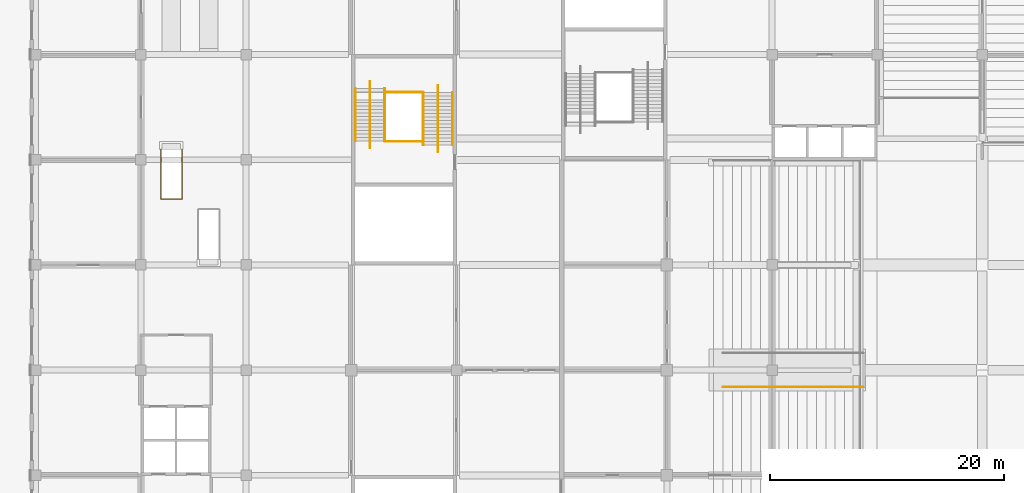
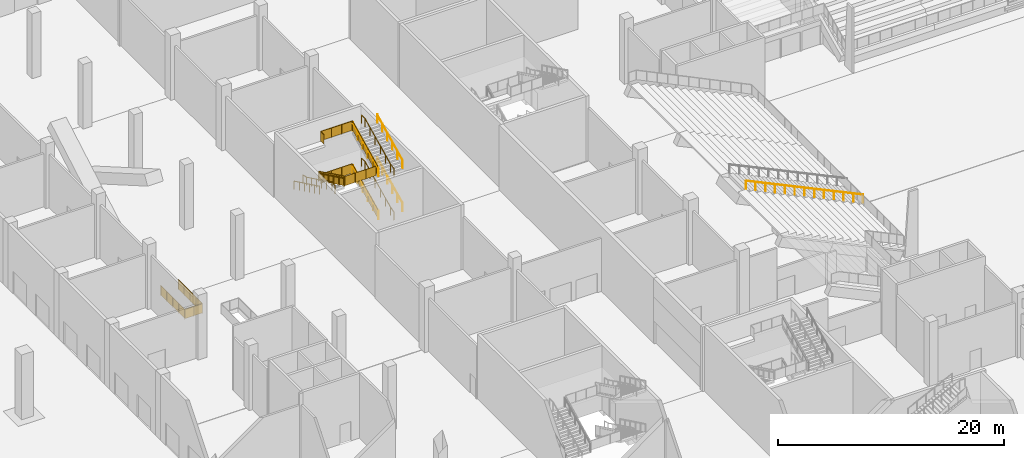
# One storey, part 65 of 92: 17 railings.
"""IFC4 building model written with IfcOpenShell, lengths in metres."""

from ifc_helpers import new_model, si_unit, direction, frame, origin, origin_2d, place, context, subcontext, project, spatial, polyline, circle, outline, extrude, material, type_object, element, save


model = new_model("IFC4")

# Units and contexts
model_context = context("Model", 3, precision=1e-05, world=origin(), true_north=direction((0.0, 1.0)))
body_context = subcontext(model_context, "Body", "Model", "MODEL_VIEW")
ifc_project = project(units=[si_unit("LENGTHUNIT", "METRE"), si_unit("AREAUNIT", "SQUARE_METRE"), si_unit("VOLUMEUNIT", "CUBIC_METRE"), si_unit("PLANEANGLEUNIT", "RADIAN"), si_unit("MASSUNIT", "GRAM", prefix="KILO")], contexts=[model_context])

# Site, building, storey
site_placement = place(None, origin())
site = spatial("IfcSite", under=ifc_project, at=site_placement, CompositionType="ELEMENT")
building_placement = place(site_placement, origin())
building = spatial("IfcBuilding", under=site, at=building_placement, Name="Silverbay Arena", CompositionType="ELEMENT")
storey_placement = place(building_placement, origin())
storey = spatial("IfcBuildingStorey", under=building, at=storey_placement, Name="L00", CompositionType="ELEMENT", Elevation=0.0)

# Railings
ifc_material_1 = material(Name="Stainless steel", Category="steel")
railing_type_1 = type_object("IfcRailingType", Name="Opening guard 1100", PredefinedType="GUARDRAIL", material=ifc_material_1)
railing_1_placement = place(storey_placement, frame((37.699951171875, 99.892333984375, 0.0)))
element("IfcRailing", 1, at=railing_1_placement, inside=storey, type_object=railing_type_1, Name="Escalator opening guard LF28", PredefinedType="GUARDRAIL", context=body_context, shape_type="SweptSolid", body=[
    extrude(circle(Radius=0.02392578125, at=origin_2d()), frame((0.0, 0.0, 1.076171875), z_axis=(0.0, -1.0, 0.0), x_axis=(1.0, 0.0, 0.0)), (0.0, 0.0, 1.0), 4.26318359375),
    extrude(outline(polyline([(-0.008056640625, 0.050048828125), (1.07373046875, 0.050048828125), (1.07373046875, 1.052978515625), (-0.008056640625, 1.052978515625), (-0.008056640625, 0.050048828125)])), frame((0.0029296875, 0.0, 0.0), z_axis=(-1.0, 0.0, 0.0), x_axis=(0.0, -1.0, 0.0)), (0.0, 0.0, 1.0), 0.006103515625),
    extrude(outline(polyline([(-0.008056640625, 0.050048828125), (1.07373046875, 0.050048828125), (1.07373046875, 1.052978515625), (-0.008056640625, 1.052978515625), (-0.008056640625, 0.050048828125)])), frame((0.0029296875, -1.06591796875, 0.0), z_axis=(-1.0, 0.0, 0.0), x_axis=(0.0, -1.0, 0.0)), (0.0, 0.0, 1.0), 0.006103515625),
    extrude(outline(polyline([(-0.008056640625, 0.050048828125), (1.07373046875, 0.050048828125), (1.07373046875, 1.052978515625), (-0.008056640625, 1.052978515625), (-0.008056640625, 0.050048828125)])), frame((0.0029296875, -2.131591796875, 0.0), z_axis=(-1.0, 0.0, 0.0), x_axis=(0.0, -1.0, 0.0)), (0.0, 0.0, 1.0), 0.006103515625),
    extrude(outline(polyline([(-0.008056640625, 0.050048828125), (1.07373046875, 0.050048828125), (1.07373046875, 1.052978515625), (-0.008056640625, 1.052978515625), (-0.008056640625, 0.050048828125)])), frame((0.0029296875, -3.197265625, 0.0), z_axis=(-1.0, 0.0, 0.0), x_axis=(0.0, -1.0, 0.0)), (0.0, 0.0, 1.0), 0.006103515625),
    extrude(circle(Radius=0.02392578125, at=origin_2d()), frame((0.0, -4.26318359375, 1.076171875), z_axis=(1.0, 0.0, 0.0), x_axis=(0.0, 1.0, 0.0)), (0.0, 0.0, 1.0), 1.800048828125),
    extrude(outline(polyline([(-0.008056640625, 0.050048828125), (0.907958984375, 0.050048828125), (0.907958984375, 1.052978515625), (-0.008056640625, 1.052978515625), (-0.008056640625, 0.050048828125)])), frame((0.0, -4.26025390625, 0.0), z_axis=(0.0, -1.0, 0.0), x_axis=(1.0, 0.0, 0.0)), (0.0, 0.0, 1.0), 0.006103515625),
    extrude(outline(polyline([(-0.008056640625, 0.050048828125), (0.907958984375, 0.050048828125), (0.907958984375, 1.052978515625), (-0.008056640625, 1.052978515625), (-0.008056640625, 0.050048828125)])), frame((0.89990234375, -4.26025390625, 0.0), z_axis=(0.0, -1.0, 0.0), x_axis=(1.0, 0.0, 0.0)), (0.0, 0.0, 1.0), 0.006103515625),
    extrude(circle(Radius=0.02392578125, at=origin_2d()), frame((1.800048828125, -4.26318359375, 1.076171875), z_axis=(0.0, 1.0, 0.0), x_axis=(-1.0, 0.0, 0.0)), (0.0, 0.0, 1.0), 4.26318359375),
    extrude(outline(polyline([(-0.008056640625, 0.050048828125), (1.07373046875, 0.050048828125), (1.07373046875, 1.052978515625), (-0.008056640625, 1.052978515625), (-0.008056640625, 0.050048828125)])), frame((1.797119140625, -4.26318359375, 0.0), z_axis=(1.0, 0.0, 0.0), x_axis=(0.0, 1.0, 0.0)), (0.0, 0.0, 1.0), 0.006103515625),
    extrude(outline(polyline([(-0.008056640625, 0.050048828125), (1.07373046875, 0.050048828125), (1.07373046875, 1.052978515625), (-0.008056640625, 1.052978515625), (-0.008056640625, 0.050048828125)])), frame((1.797119140625, -3.197265625, 0.0), z_axis=(1.0, 0.0, 0.0), x_axis=(0.0, 1.0, 0.0)), (0.0, 0.0, 1.0), 0.006103515625),
    extrude(outline(polyline([(-0.008056640625, 0.050048828125), (1.07373046875, 0.050048828125), (1.07373046875, 1.052978515625), (-0.008056640625, 1.052978515625), (-0.008056640625, 0.050048828125)])), frame((1.797119140625, -2.131591796875, 0.0), z_axis=(1.0, 0.0, 0.0), x_axis=(0.0, 1.0, 0.0)), (0.0, 0.0, 1.0), 0.006103515625),
    extrude(outline(polyline([(-0.008056640625, 0.050048828125), (1.07373046875, 0.050048828125), (1.07373046875, 1.052978515625), (-0.008056640625, 1.052978515625), (-0.008056640625, 0.050048828125)])), frame((1.797119140625, -1.06591796875, 0.0), z_axis=(1.0, 0.0, 0.0), x_axis=(0.0, 1.0, 0.0)), (0.0, 0.0, 1.0), 0.006103515625),
    extrude(circle(Radius=0.02099609375, at=origin_2d()), origin(), (0.0, 0.0, 1.0), 1.052001953125),
    extrude(circle(Radius=0.02099609375, at=origin_2d()), frame((0.0, -1.06591796875, 0.0)), (0.0, 0.0, 1.0), 1.052001953125),
    extrude(circle(Radius=0.02099609375, at=origin_2d()), frame((0.0, -2.131591796875, 0.0)), (0.0, 0.0, 1.0), 1.052001953125),
    extrude(circle(Radius=0.02099609375, at=origin_2d()), frame((0.0, -3.197265625, 0.0)), (0.0, 0.0, 1.0), 1.052001953125),
    extrude(circle(Radius=0.02099609375, at=origin_2d()), frame((0.0, -4.26318359375, 0.0)), (0.0, 0.0, 1.0), 1.052001953125),
    extrude(circle(Radius=0.02099609375, at=origin_2d()), frame((0.89990234375, -4.26318359375, 0.0)), (0.0, 0.0, 1.0), 1.052001953125),
    extrude(circle(Radius=0.02099609375, at=origin_2d()), frame((1.800048828125, -4.26318359375, 0.0)), (0.0, 0.0, 1.0), 1.052001953125),
    extrude(circle(Radius=0.02099609375, at=origin_2d()), frame((1.800048828125, -3.197265625, 0.0)), (0.0, 0.0, 1.0), 1.052001953125),
    extrude(circle(Radius=0.02099609375, at=origin_2d()), frame((1.800048828125, -2.131591796875, 0.0)), (0.0, 0.0, 1.0), 1.052001953125),
    extrude(circle(Radius=0.02099609375, at=origin_2d()), frame((1.800048828125, -1.06591796875, 0.0)), (0.0, 0.0, 1.0), 1.052001953125),
    extrude(circle(Radius=0.02099609375, at=origin_2d()), frame((1.800048828125, 0.0, 0.0)), (0.0, 0.0, 1.0), 1.052001953125),
])
ifc_material_2 = material(Name="Stainless steel", Category="steel")
railing_type_2 = type_object("IfcRailingType", Name="Stair guard 1100", PredefinedType="GUARDRAIL", material=ifc_material_2)
railing_2_placement = place(storey_placement, frame((60.125, 100.2568359375, 0.145751953125)))
element("IfcRailing", 2, at=railing_2_placement, inside=storey, type_object=railing_type_2, Name="Stair ST-W2 L00 to L01 flight 1 guard right", PredefinedType="GUARDRAIL", context=body_context, shape_type="SweptSolid", body=[
    extrude(circle(Radius=0.02392578125, at=origin_2d()), frame((0.0, 0.0, 1.076171875), z_axis=(0.0, 0.899367854138, 0.437192706873), x_axis=(-1.0, 0.0, 0.0)), (0.0, 0.0, 1.0), 5.00341796875),
    extrude(outline(polyline([(-0.008056640625, 0.046142578125), (0.907958984375, 0.491455078125), (0.907958984375, 1.494384765625), (-0.008056640625, 1.049072265625), (-0.008056640625, 0.046142578125)])), frame((-0.0029296875, 0.0, 0.0), z_axis=(1.0, 0.0, 0.0), x_axis=(0.0, 1.0, 0.0)), (0.0, 0.0, 1.0), 0.006103515625),
    extrude(outline(polyline([(-0.008056640625, 0.483642578125), (0.907958984375, 0.928955078125), (0.907958984375, 1.931884765625), (-0.008056640625, 1.486572265625), (-0.008056640625, 0.483642578125)])), frame((-0.0029296875, 0.89990234375, 0.0), z_axis=(1.0, 0.0, 0.0), x_axis=(0.0, 1.0, 0.0)), (0.0, 0.0, 1.0), 0.006103515625),
    extrude(outline(polyline([(-0.008056640625, 0.921142578125), (0.907958984375, 1.366455078125), (0.907958984375, 2.369384765625), (-0.008056640625, 1.924072265625), (-0.008056640625, 0.921142578125)])), frame((-0.0029296875, 1.800048828125, 0.0), z_axis=(1.0, 0.0, 0.0), x_axis=(0.0, 1.0, 0.0)), (0.0, 0.0, 1.0), 0.006103515625),
    extrude(outline(polyline([(-0.008056640625, 1.358642578125), (0.907958984375, 1.803955078125), (0.907958984375, 2.806884765625), (-0.008056640625, 2.361572265625), (-0.008056640625, 1.358642578125)])), frame((-0.0029296875, 2.699951171875, 0.0), z_axis=(1.0, 0.0, 0.0), x_axis=(0.0, 1.0, 0.0)), (0.0, 0.0, 1.0), 0.006103515625),
    extrude(outline(polyline([(-0.008056640625, 1.796142578125), (0.907958984375, 2.241455078125), (0.907958984375, 3.244384765625), (-0.008056640625, 2.799072265625), (-0.008056640625, 1.796142578125)])), frame((-0.0029296875, 3.60009765625, 0.0), z_axis=(1.0, 0.0, 0.0), x_axis=(0.0, 1.0, 0.0)), (0.0, 0.0, 1.0), 0.006103515625),
    extrude(circle(Radius=0.02099609375, at=origin_2d()), origin(), (0.0, 0.0, 1.0), 1.052001953125),
    extrude(circle(Radius=0.02099609375, at=origin_2d()), frame((0.0, 0.89990234375, 0.4375)), (0.0, 0.0, 1.0), 1.052001953125),
    extrude(circle(Radius=0.02099609375, at=origin_2d()), frame((0.0, 1.800048828125, 0.875)), (0.0, 0.0, 1.0), 1.052001953125),
    extrude(circle(Radius=0.02099609375, at=origin_2d()), frame((0.0, 2.699951171875, 1.3125)), (0.0, 0.0, 1.0), 1.052001953125),
    extrude(circle(Radius=0.02099609375, at=origin_2d()), frame((0.0, 3.60009765625, 1.75)), (0.0, 0.0, 1.0), 1.052001953125),
    extrude(circle(Radius=0.02099609375, at=origin_2d()), frame((0.0, 4.5, 2.1875)), (0.0, 0.0, 1.0), 1.052001953125),
])
railing_3_placement = place(storey_placement, frame((56.875, 105.10009765625, 2.479248046875)))
element("IfcRailing", 3, at=railing_3_placement, inside=storey, type_object=railing_type_2, Name="Stair ST-W2 L00 to L01 flight 2 guard left", PredefinedType="GUARDRAIL", context=body_context, shape_type="SweptSolid", body=[
    extrude(circle(Radius=0.02392578125, at=origin_2d()), frame((0.0, 0.0, 1.076171875), z_axis=(0.0, -0.899367854138, 0.437192706873), x_axis=(1.0, 0.0, 0.0)), (0.0, 0.0, 1.0), 5.00341796875),
    extrude(outline(polyline([(-0.008056640625, 0.046142578125), (0.907958984375, 0.491455078125), (0.907958984375, 1.494384765625), (-0.008056640625, 1.049072265625), (-0.008056640625, 0.046142578125)])), frame((0.0029296875, 0.0, 0.0), z_axis=(-1.0, 0.0, 0.0), x_axis=(0.0, -1.0, 0.0)), (0.0, 0.0, 1.0), 0.006103515625),
    extrude(outline(polyline([(-0.008056640625, 0.483642578125), (0.907958984375, 0.928955078125), (0.907958984375, 1.931884765625), (-0.008056640625, 1.486572265625), (-0.008056640625, 0.483642578125)])), frame((0.0029296875, -0.89990234375, 0.0), z_axis=(-1.0, 0.0, 0.0), x_axis=(0.0, -1.0, 0.0)), (0.0, 0.0, 1.0), 0.006103515625),
    extrude(outline(polyline([(-0.008056640625, 0.921142578125), (0.907958984375, 1.366455078125), (0.907958984375, 2.369384765625), (-0.008056640625, 1.924072265625), (-0.008056640625, 0.921142578125)])), frame((0.0029296875, -1.800048828125, 0.0), z_axis=(-1.0, 0.0, 0.0), x_axis=(0.0, -1.0, 0.0)), (0.0, 0.0, 1.0), 0.006103515625),
    extrude(outline(polyline([(-0.008056640625, 1.358642578125), (0.907958984375, 1.803955078125), (0.907958984375, 2.806884765625), (-0.008056640625, 2.361572265625), (-0.008056640625, 1.358642578125)])), frame((0.0029296875, -2.699951171875, 0.0), z_axis=(-1.0, 0.0, 0.0), x_axis=(0.0, -1.0, 0.0)), (0.0, 0.0, 1.0), 0.006103515625),
    extrude(outline(polyline([(-0.008056640625, 1.796142578125), (0.907958984375, 2.241455078125), (0.907958984375, 3.244384765625), (-0.008056640625, 2.799072265625), (-0.008056640625, 1.796142578125)])), frame((0.0029296875, -3.60009765625, 0.0), z_axis=(-1.0, 0.0, 0.0), x_axis=(0.0, -1.0, 0.0)), (0.0, 0.0, 1.0), 0.006103515625),
    extrude(circle(Radius=0.02099609375, at=origin_2d()), origin(), (0.0, 0.0, 1.0), 1.052001953125),
    extrude(circle(Radius=0.02099609375, at=origin_2d()), frame((0.0, -0.89990234375, 0.4375)), (0.0, 0.0, 1.0), 1.052001953125),
    extrude(circle(Radius=0.02099609375, at=origin_2d()), frame((0.0, -1.800048828125, 0.875)), (0.0, 0.0, 1.0), 1.052001953125),
    extrude(circle(Radius=0.02099609375, at=origin_2d()), frame((0.0, -2.699951171875, 1.3125)), (0.0, 0.0, 1.0), 1.052001953125),
    extrude(circle(Radius=0.02099609375, at=origin_2d()), frame((0.0, -3.60009765625, 1.75)), (0.0, 0.0, 1.0), 1.052001953125),
    extrude(circle(Radius=0.02099609375, at=origin_2d()), frame((0.0, -4.5, 2.1875)), (0.0, 0.0, 1.0), 1.052001953125),
])
railing_4_placement = place(storey_placement, frame((60.125, 100.2568359375, 4.8125)))
element("IfcRailing", 4, at=railing_4_placement, inside=storey, type_object=railing_type_2, Name="Stair ST-W2 L00 to L01 flight 3 guard right", PredefinedType="GUARDRAIL", context=body_context, shape_type="SweptSolid", body=[
    extrude(circle(Radius=0.02392578125, at=origin_2d()), frame((0.0, 0.0, 1.076171875), z_axis=(0.0, 0.899367854138, 0.437192706873), x_axis=(-1.0, 0.0, 0.0)), (0.0, 0.0, 1.0), 5.00341796875),
    extrude(outline(polyline([(-0.008056640625, 0.046142578125), (0.907958984375, 0.491455078125), (0.907958984375, 1.494384765625), (-0.008056640625, 1.049072265625), (-0.008056640625, 0.046142578125)])), frame((-0.0029296875, 0.0, 0.0), z_axis=(1.0, 0.0, 0.0), x_axis=(0.0, 1.0, 0.0)), (0.0, 0.0, 1.0), 0.006103515625),
    extrude(outline(polyline([(-0.008056640625, 0.483642578125), (0.907958984375, 0.928955078125), (0.907958984375, 1.931884765625), (-0.008056640625, 1.486572265625), (-0.008056640625, 0.483642578125)])), frame((-0.0029296875, 0.89990234375, 0.0), z_axis=(1.0, 0.0, 0.0), x_axis=(0.0, 1.0, 0.0)), (0.0, 0.0, 1.0), 0.006103515625),
    extrude(outline(polyline([(-0.008056640625, 0.921142578125), (0.907958984375, 1.366455078125), (0.907958984375, 2.369384765625), (-0.008056640625, 1.924072265625), (-0.008056640625, 0.921142578125)])), frame((-0.0029296875, 1.800048828125, 0.0), z_axis=(1.0, 0.0, 0.0), x_axis=(0.0, 1.0, 0.0)), (0.0, 0.0, 1.0), 0.006103515625),
    extrude(outline(polyline([(-0.008056640625, 1.358642578125), (0.907958984375, 1.803955078125), (0.907958984375, 2.806884765625), (-0.008056640625, 2.361572265625), (-0.008056640625, 1.358642578125)])), frame((-0.0029296875, 2.699951171875, 0.0), z_axis=(1.0, 0.0, 0.0), x_axis=(0.0, 1.0, 0.0)), (0.0, 0.0, 1.0), 0.006103515625),
    extrude(outline(polyline([(-0.008056640625, 1.796142578125), (0.907958984375, 2.241455078125), (0.907958984375, 3.244384765625), (-0.008056640625, 2.799072265625), (-0.008056640625, 1.796142578125)])), frame((-0.0029296875, 3.60009765625, 0.0), z_axis=(1.0, 0.0, 0.0), x_axis=(0.0, 1.0, 0.0)), (0.0, 0.0, 1.0), 0.006103515625),
    extrude(circle(Radius=0.02099609375, at=origin_2d()), origin(), (0.0, 0.0, 1.0), 1.052001953125),
    extrude(circle(Radius=0.02099609375, at=origin_2d()), frame((0.0, 0.89990234375, 0.4375)), (0.0, 0.0, 1.0), 1.052001953125),
    extrude(circle(Radius=0.02099609375, at=origin_2d()), frame((0.0, 1.800048828125, 0.875)), (0.0, 0.0, 1.0), 1.052001953125),
    extrude(circle(Radius=0.02099609375, at=origin_2d()), frame((0.0, 2.699951171875, 1.3125)), (0.0, 0.0, 1.0), 1.052001953125),
    extrude(circle(Radius=0.02099609375, at=origin_2d()), frame((0.0, 3.60009765625, 1.75)), (0.0, 0.0, 1.0), 1.052001953125),
    extrude(circle(Radius=0.02099609375, at=origin_2d()), frame((0.0, 4.5, 2.1875)), (0.0, 0.0, 1.0), 1.052001953125),
])
for number, where, name in (
    (5, (60.10009765625, 104.806884765625, 2.333251953125), "Stair ST-W2 L00 to L01 landing 1 guard"),
    (6, (60.10009765625, 100.550048828125, 4.666748046875), "Stair ST-W2 L00 to L01 landing 2 guard"),
):
    element("IfcRailing", number, at=place(storey_placement, frame(where)), inside=storey, type_object=railing_type_2, Name=name, PredefinedType="GUARDRAIL", context=body_context, shape_type="SweptSolid", body=[
        extrude(circle(Radius=0.02392578125, at=origin_2d()), frame((0.0, 0.0, 1.076171875), z_axis=(-1.0, 0.0, 0.0), x_axis=(0.0, -1.0, 0.0)), (0.0, 0.0, 1.0), 3.2001953125),
        extrude(outline(polyline([(-0.008056640625, 0.050048828125), (1.07470703125, 0.050048828125), (1.07470703125, 1.052978515625), (-0.008056640625, 1.052978515625), (-0.008056640625, 0.050048828125)])), frame((0.0, -0.0029296875, 0.0), z_axis=(0.0, 1.0, 0.0), x_axis=(-1.0, 0.0, 0.0)), (0.0, 0.0, 1.0), 0.006103515625),
        extrude(outline(polyline([(-0.008056640625, 0.050048828125), (1.07470703125, 0.050048828125), (1.07470703125, 1.052978515625), (-0.008056640625, 1.052978515625), (-0.008056640625, 0.050048828125)])), frame((-1.066650390625, -0.0029296875, 0.0), z_axis=(0.0, 1.0, 0.0), x_axis=(-1.0, 0.0, 0.0)), (0.0, 0.0, 1.0), 0.006103515625),
        extrude(outline(polyline([(-0.008056640625, 0.050048828125), (1.07470703125, 0.050048828125), (1.07470703125, 1.052978515625), (-0.008056640625, 1.052978515625), (-0.008056640625, 0.050048828125)])), frame((-2.133544921875, -0.0029296875, 0.0), z_axis=(0.0, 1.0, 0.0), x_axis=(-1.0, 0.0, 0.0)), (0.0, 0.0, 1.0), 0.006103515625),
        extrude(circle(Radius=0.02099609375, at=origin_2d()), origin(), (0.0, 0.0, 1.0), 1.052001953125),
        extrude(circle(Radius=0.02099609375, at=origin_2d()), frame((-1.066650390625, 0.0, 0.0)), (0.0, 0.0, 1.0), 1.052001953125),
        extrude(circle(Radius=0.02099609375, at=origin_2d()), frame((-2.133544921875, 0.0, 0.0)), (0.0, 0.0, 1.0), 1.052001953125),
        extrude(circle(Radius=0.02099609375, at=origin_2d()), frame((-3.2001953125, 0.0, 0.0)), (0.0, 0.0, 1.0), 1.052001953125),
    ])
railing_5_placement = place(storey_placement, frame((56.85009765625, 104.14990234375, 7.0)))
element("IfcRailing", 7, at=railing_5_placement, inside=storey, type_object=railing_type_2, Name="Stair ST-W2 L00 to L01 landing 3 guard", PredefinedType="GUARDRAIL", context=body_context, shape_type="SweptSolid", body=[
    extrude(circle(Radius=0.02392578125, at=origin_2d()), frame((0.0, 0.0, 1.076171875), z_axis=(0.0, 1.0, 0.0), x_axis=(-1.0, 0.0, 0.0)), (0.0, 0.0, 1.0), 0.60693359375),
    extrude(outline(polyline([(-0.008056640625, 0.050048828125), (0.614990234375, 0.050048828125), (0.614990234375, 1.052978515625), (-0.008056640625, 1.052978515625), (-0.008056640625, 0.050048828125)])), frame((-0.0029296875, 0.0, 0.0), z_axis=(1.0, 0.0, 0.0), x_axis=(0.0, 1.0, 0.0)), (0.0, 0.0, 1.0), 0.006103515625),
    extrude(circle(Radius=0.02392578125, at=origin_2d()), frame((0.0, 0.60693359375, 1.076171875), z_axis=(1.0, 0.0, 0.0), x_axis=(0.0, 1.0, 0.0)), (0.0, 0.0, 1.0), 3.25),
    extrude(outline(polyline([(-0.008056640625, 0.050048828125), (1.09130859375, 0.050048828125), (1.09130859375, 1.052978515625), (-0.008056640625, 1.052978515625), (-0.008056640625, 0.050048828125)])), frame((0.0, 0.60986328125, 0.0), z_axis=(0.0, -1.0, 0.0), x_axis=(1.0, 0.0, 0.0)), (0.0, 0.0, 1.0), 0.006103515625),
    extrude(outline(polyline([(-0.008056640625, 0.050048828125), (1.09130859375, 0.050048828125), (1.09130859375, 1.052978515625), (-0.008056640625, 1.052978515625), (-0.008056640625, 0.050048828125)])), frame((1.083251953125, 0.60986328125, 0.0), z_axis=(0.0, -1.0, 0.0), x_axis=(1.0, 0.0, 0.0)), (0.0, 0.0, 1.0), 0.006103515625),
    extrude(outline(polyline([(-0.008056640625, 0.050048828125), (1.09130859375, 0.050048828125), (1.09130859375, 1.052978515625), (-0.008056640625, 1.052978515625), (-0.008056640625, 0.050048828125)])), frame((2.166748046875, 0.60986328125, 0.0), z_axis=(0.0, -1.0, 0.0), x_axis=(1.0, 0.0, 0.0)), (0.0, 0.0, 1.0), 0.006103515625),
    extrude(circle(Radius=0.02099609375, at=origin_2d()), origin(), (0.0, 0.0, 1.0), 1.052001953125),
    extrude(circle(Radius=0.02099609375, at=origin_2d()), frame((0.0, 0.60693359375, 0.0)), (0.0, 0.0, 1.0), 1.052001953125),
    extrude(circle(Radius=0.02099609375, at=origin_2d()), frame((1.083251953125, 0.60693359375, 0.0)), (0.0, 0.0, 1.0), 1.052001953125),
    extrude(circle(Radius=0.02099609375, at=origin_2d()), frame((2.166748046875, 0.60693359375, 0.0)), (0.0, 0.0, 1.0), 1.052001953125),
    extrude(circle(Radius=0.02099609375, at=origin_2d()), frame((3.25, 0.60693359375, 0.0)), (0.0, 0.0, 1.0), 1.052001953125),
])
ifc_material_3 = material(Name="Stainless steel", Category="steel")
railing_type_3 = type_object("IfcRailingType", Name="Stair handrail 900", PredefinedType="HANDRAIL", material=ifc_material_3)
for number, where, name in (
    (8, (62.64990234375, 100.2568359375, 0.145751953125), "Stair ST-W2 L00 to L01 flight 1 handrail left"),
    (9, (60.1640625, 100.2568359375, 0.145751953125), "Stair ST-W2 L00 to L01 flight 1 handrail right"),
):
    element("IfcRailing", number, at=place(storey_placement, frame(where)), inside=storey, type_object=railing_type_3, Name=name, PredefinedType="HANDRAIL", context=body_context, shape_type="SweptSolid", body=[
        extrude(circle(Radius=0.02392578125, at=origin_2d()), frame((0.0, 0.0, 0.8759765625), z_axis=(0.0, 0.899367854138, 0.437192706873), x_axis=(-1.0, 0.0, 0.0)), (0.0, 0.0, 1.0), 5.00341796875),
        extrude(circle(Radius=0.02099609375, at=origin_2d()), origin(), (0.0, 0.0, 1.0), 0.851806640625),
        extrude(circle(Radius=0.02099609375, at=origin_2d()), frame((0.0, 0.89990234375, 0.4375)), (0.0, 0.0, 1.0), 0.851806640625),
        extrude(circle(Radius=0.02099609375, at=origin_2d()), frame((0.0, 1.800048828125, 0.875)), (0.0, 0.0, 1.0), 0.851806640625),
        extrude(circle(Radius=0.02099609375, at=origin_2d()), frame((0.0, 2.699951171875, 1.3125)), (0.0, 0.0, 1.0), 0.851806640625),
        extrude(circle(Radius=0.02099609375, at=origin_2d()), frame((0.0, 3.60009765625, 1.75)), (0.0, 0.0, 1.0), 0.851806640625),
        extrude(circle(Radius=0.02099609375, at=origin_2d()), frame((0.0, 4.5, 2.1875)), (0.0, 0.0, 1.0), 0.851806640625),
    ])
railing_6_placement = place(storey_placement, frame((61.39990234375, 99.656982421875, 0.0)))
element("IfcRailing", 10, at=railing_6_placement, inside=storey, type_object=railing_type_3, Name="Stair ST-W2 L00 to L01 flight 1 central handrail", PredefinedType="HANDRAIL", context=body_context, shape_type="SweptSolid", body=[
    extrude(circle(Radius=0.02392578125, at=origin_2d()), frame((0.0, 0.0, 0.8759765625), z_axis=(0.0, 0.971726487806, 0.23610936639), x_axis=(-1.0, 0.0, 0.0)), (0.0, 0.0, 1.0), 0.6171875),
    extrude(circle(Radius=0.02392578125, at=origin_2d()), frame((0.0, 0.599853515625, 1.021484375), z_axis=(0.0, 0.899367854138, 0.437192706873), x_axis=(-1.0, 0.0, 0.0)), (0.0, 0.0, 1.0), 5.00341796875),
    extrude(circle(Radius=0.02392578125, at=origin_2d()), frame((0.0, 5.099853515625, 3.208984375), z_axis=(0.0, 1.0, 0.0), x_axis=(-1.0, 0.0, 0.0)), (0.0, 0.0, 1.0), 0.60009765625),
    extrude(circle(Radius=0.02099609375, at=origin_2d()), origin(), (0.0, 0.0, 1.0), 0.851806640625),
    extrude(circle(Radius=0.02099609375, at=origin_2d()), frame((0.0, 0.599853515625, 0.145751953125)), (0.0, 0.0, 1.0), 0.851806640625),
    extrude(circle(Radius=0.02099609375, at=origin_2d()), frame((0.0, 1.499755859375, 0.583251953125)), (0.0, 0.0, 1.0), 0.851806640625),
    extrude(circle(Radius=0.02099609375, at=origin_2d()), frame((0.0, 2.39990234375, 1.020751953125)), (0.0, 0.0, 1.0), 0.851806640625),
    extrude(circle(Radius=0.02099609375, at=origin_2d()), frame((0.0, 3.2998046875, 1.458251953125)), (0.0, 0.0, 1.0), 0.851806640625),
    extrude(circle(Radius=0.02099609375, at=origin_2d()), frame((0.0, 4.199951171875, 1.895751953125)), (0.0, 0.0, 1.0), 0.851806640625),
    extrude(circle(Radius=0.02099609375, at=origin_2d()), frame((0.0, 5.099853515625, 2.333251953125)), (0.0, 0.0, 1.0), 0.851806640625),
    extrude(circle(Radius=0.02099609375, at=origin_2d()), frame((0.0, 5.699951171875, 2.333251953125)), (0.0, 0.0, 1.0), 0.851806640625),
])
for number, where, name in (
    (11, (56.8359375, 105.10009765625, 2.479248046875), "Stair ST-W2 L00 to L01 flight 2 handrail left"),
    (12, (54.35009765625, 105.10009765625, 2.479248046875), "Stair ST-W2 L00 to L01 flight 2 handrail right"),
):
    element("IfcRailing", number, at=place(storey_placement, frame(where)), inside=storey, type_object=railing_type_3, Name=name, PredefinedType="HANDRAIL", context=body_context, shape_type="SweptSolid", body=[
        extrude(circle(Radius=0.02392578125, at=origin_2d()), frame((0.0, 0.0, 0.8759765625), z_axis=(0.0, -0.899367854138, 0.437192706873), x_axis=(1.0, 0.0, 0.0)), (0.0, 0.0, 1.0), 5.00341796875),
        extrude(circle(Radius=0.02099609375, at=origin_2d()), origin(), (0.0, 0.0, 1.0), 0.851806640625),
        extrude(circle(Radius=0.02099609375, at=origin_2d()), frame((0.0, -0.89990234375, 0.4375)), (0.0, 0.0, 1.0), 0.851806640625),
        extrude(circle(Radius=0.02099609375, at=origin_2d()), frame((0.0, -1.800048828125, 0.875)), (0.0, 0.0, 1.0), 0.851806640625),
        extrude(circle(Radius=0.02099609375, at=origin_2d()), frame((0.0, -2.699951171875, 1.3125)), (0.0, 0.0, 1.0), 0.851806640625),
        extrude(circle(Radius=0.02099609375, at=origin_2d()), frame((0.0, -3.60009765625, 1.75)), (0.0, 0.0, 1.0), 0.851806640625),
        extrude(circle(Radius=0.02099609375, at=origin_2d()), frame((0.0, -4.5, 2.1875)), (0.0, 0.0, 1.0), 0.851806640625),
    ])
railing_7_placement = place(storey_placement, frame((55.60009765625, 105.699951171875, 2.333251953125)))
element("IfcRailing", 13, at=railing_7_placement, inside=storey, type_object=railing_type_3, Name="Stair ST-W2 L00 to L01 flight 2 central handrail", PredefinedType="HANDRAIL", context=body_context, shape_type="SweptSolid", body=[
    extrude(circle(Radius=0.02392578125, at=origin_2d()), frame((0.0, 0.0, 0.8759765625), z_axis=(0.0, -0.971635685089, 0.236482759334), x_axis=(1.0, 0.0, 0.0)), (0.0, 0.0, 1.0), 0.617431640625),
    extrude(circle(Radius=0.02392578125, at=origin_2d()), frame((0.0, -0.599853515625, 1.02197265625), z_axis=(0.0, -0.899367854138, 0.437192706873), x_axis=(1.0, 0.0, 0.0)), (0.0, 0.0, 1.0), 5.00341796875),
    extrude(circle(Radius=0.02392578125, at=origin_2d()), frame((0.0, -5.099853515625, 3.20947265625), z_axis=(0.0, -1.0, 0.0), x_axis=(1.0, 0.0, 0.0)), (0.0, 0.0, 1.0), 0.60009765625),
    extrude(circle(Radius=0.02099609375, at=origin_2d()), origin(), (0.0, 0.0, 1.0), 0.851806640625),
    extrude(circle(Radius=0.02099609375, at=origin_2d()), frame((0.0, -0.599853515625, 0.14599609375)), (0.0, 0.0, 1.0), 0.851806640625),
    extrude(circle(Radius=0.02099609375, at=origin_2d()), frame((0.0, -1.499755859375, 0.58349609375)), (0.0, 0.0, 1.0), 0.851806640625),
    extrude(circle(Radius=0.02099609375, at=origin_2d()), frame((0.0, -2.39990234375, 1.02099609375)), (0.0, 0.0, 1.0), 0.851806640625),
    extrude(circle(Radius=0.02099609375, at=origin_2d()), frame((0.0, -3.2998046875, 1.45849609375)), (0.0, 0.0, 1.0), 0.851806640625),
    extrude(circle(Radius=0.02099609375, at=origin_2d()), frame((0.0, -4.199951171875, 1.89599609375)), (0.0, 0.0, 1.0), 0.851806640625),
    extrude(circle(Radius=0.02099609375, at=origin_2d()), frame((0.0, -5.099853515625, 2.33349609375)), (0.0, 0.0, 1.0), 0.851806640625),
    extrude(circle(Radius=0.02099609375, at=origin_2d()), frame((0.0, -5.699951171875, 2.33349609375)), (0.0, 0.0, 1.0), 0.851806640625),
])
for number, where, name in (
    (14, (62.64990234375, 100.2568359375, 4.8125), "Stair ST-W2 L00 to L01 flight 3 handrail left"),
    (15, (60.1640625, 100.2568359375, 4.8125), "Stair ST-W2 L00 to L01 flight 3 handrail right"),
):
    element("IfcRailing", number, at=place(storey_placement, frame(where)), inside=storey, type_object=railing_type_3, Name=name, PredefinedType="HANDRAIL", context=body_context, shape_type="SweptSolid", body=[
        extrude(circle(Radius=0.02392578125, at=origin_2d()), frame((0.0, 0.0, 0.8759765625), z_axis=(0.0, 0.899367854138, 0.437192706873), x_axis=(-1.0, 0.0, 0.0)), (0.0, 0.0, 1.0), 5.00341796875),
        extrude(circle(Radius=0.02099609375, at=origin_2d()), origin(), (0.0, 0.0, 1.0), 0.851806640625),
        extrude(circle(Radius=0.02099609375, at=origin_2d()), frame((0.0, 0.89990234375, 0.4375)), (0.0, 0.0, 1.0), 0.851806640625),
        extrude(circle(Radius=0.02099609375, at=origin_2d()), frame((0.0, 1.800048828125, 0.875)), (0.0, 0.0, 1.0), 0.851806640625),
        extrude(circle(Radius=0.02099609375, at=origin_2d()), frame((0.0, 2.699951171875, 1.3125)), (0.0, 0.0, 1.0), 0.851806640625),
        extrude(circle(Radius=0.02099609375, at=origin_2d()), frame((0.0, 3.60009765625, 1.75)), (0.0, 0.0, 1.0), 0.851806640625),
        extrude(circle(Radius=0.02099609375, at=origin_2d()), frame((0.0, 4.5, 2.1875)), (0.0, 0.0, 1.0), 0.851806640625),
    ])
railing_8_placement = place(storey_placement, frame((61.39990234375, 99.656982421875, 4.666748046875)))
element("IfcRailing", 16, at=railing_8_placement, inside=storey, type_object=railing_type_3, Name="Stair ST-W2 L00 to L01 flight 3 central handrail", PredefinedType="HANDRAIL", context=body_context, shape_type="SweptSolid", body=[
    extrude(circle(Radius=0.02392578125, at=origin_2d()), frame((0.0, 0.0, 0.8759765625), z_axis=(0.0, 0.971726487806, 0.23610936639), x_axis=(-1.0, 0.0, 0.0)), (0.0, 0.0, 1.0), 0.6171875),
    extrude(circle(Radius=0.02392578125, at=origin_2d()), frame((0.0, 0.599853515625, 1.021484375), z_axis=(0.0, 0.899367854138, 0.437192706873), x_axis=(-1.0, 0.0, 0.0)), (0.0, 0.0, 1.0), 5.00341796875),
    extrude(circle(Radius=0.02392578125, at=origin_2d()), frame((0.0, 5.099853515625, 3.208984375), z_axis=(0.0, 1.0, 0.0), x_axis=(-1.0, 0.0, 0.0)), (0.0, 0.0, 1.0), 0.60009765625),
    extrude(circle(Radius=0.02099609375, at=origin_2d()), origin(), (0.0, 0.0, 1.0), 0.851806640625),
    extrude(circle(Radius=0.02099609375, at=origin_2d()), frame((0.0, 0.599853515625, 0.145751953125)), (0.0, 0.0, 1.0), 0.851806640625),
    extrude(circle(Radius=0.02099609375, at=origin_2d()), frame((0.0, 1.499755859375, 0.583251953125)), (0.0, 0.0, 1.0), 0.851806640625),
    extrude(circle(Radius=0.02099609375, at=origin_2d()), frame((0.0, 2.39990234375, 1.020751953125)), (0.0, 0.0, 1.0), 0.851806640625),
    extrude(circle(Radius=0.02099609375, at=origin_2d()), frame((0.0, 3.2998046875, 1.458251953125)), (0.0, 0.0, 1.0), 0.851806640625),
    extrude(circle(Radius=0.02099609375, at=origin_2d()), frame((0.0, 4.199951171875, 1.895751953125)), (0.0, 0.0, 1.0), 0.851806640625),
    extrude(circle(Radius=0.02099609375, at=origin_2d()), frame((0.0, 5.099853515625, 2.333251953125)), (0.0, 0.0, 1.0), 0.851806640625),
    extrude(circle(Radius=0.02099609375, at=origin_2d()), frame((0.0, 5.699951171875, 2.333251953125)), (0.0, 0.0, 1.0), 0.851806640625),
])
railing_9_placement = place(storey_placement, frame((97.800048828125, 79.550048828125, 1.300048828125)))
element("IfcRailing", 17, at=railing_9_placement, inside=storey, type_object=railing_type_3, Name="Vomitory stair V09 handrail left", PredefinedType="HANDRAIL", context=body_context, shape_type="SweptSolid", body=[
    extrude(circle(Radius=0.02392578125, at=origin_2d()), frame((0.0, 0.0, 0.8759765625), z_axis=(-0.903278928798, 0.0, 0.429053815727), x_axis=(0.0, -1.0, 0.0)), (0.0, 0.0, 1.0), 13.284912109375),
    extrude(circle(Radius=0.02099609375, at=origin_2d()), origin(), (0.0, 0.0, 1.0), 0.851806640625),
    extrude(circle(Radius=0.02099609375, at=origin_2d()), frame((-1.0, 0.0, 0.47509765625)), (0.0, 0.0, 1.0), 0.851806640625),
    extrude(circle(Radius=0.02099609375, at=origin_2d()), frame((-2.0, 0.0, 0.949951171875)), (0.0, 0.0, 1.0), 0.851806640625),
    extrude(circle(Radius=0.02099609375, at=origin_2d()), frame((-3.0, 0.0, 1.425048828125)), (0.0, 0.0, 1.0), 0.851806640625),
    extrude(circle(Radius=0.02099609375, at=origin_2d()), frame((-4.0, 0.0, 1.89990234375)), (0.0, 0.0, 1.0), 0.851806640625),
    extrude(circle(Radius=0.02099609375, at=origin_2d()), frame((-5.0, 0.0, 2.375)), (0.0, 0.0, 1.0), 0.851806640625),
    extrude(circle(Radius=0.02099609375, at=origin_2d()), frame((-6.0, 0.0, 2.85009765625)), (0.0, 0.0, 1.0), 0.851806640625),
    extrude(circle(Radius=0.02099609375, at=origin_2d()), frame((-7.0, 0.0, 3.324951171875)), (0.0, 0.0, 1.0), 0.851806640625),
    extrude(circle(Radius=0.02099609375, at=origin_2d()), frame((-8.0, 0.0, 3.800048828125)), (0.0, 0.0, 1.0), 0.851806640625),
    extrude(circle(Radius=0.02099609375, at=origin_2d()), frame((-9.0, 0.0, 4.27490234375)), (0.0, 0.0, 1.0), 0.851806640625),
    extrude(circle(Radius=0.02099609375, at=origin_2d()), frame((-10.0, 0.0, 4.75)), (0.0, 0.0, 1.0), 0.851806640625),
    extrude(circle(Radius=0.02099609375, at=origin_2d()), frame((-11.0, 0.0, 5.224853515625)), (0.0, 0.0, 1.0), 0.851806640625),
    extrude(circle(Radius=0.02099609375, at=origin_2d()), frame((-12.0, 0.0, 5.699951171875)), (0.0, 0.0, 1.0), 0.851806640625),
])

save(model, "model.ifc")
